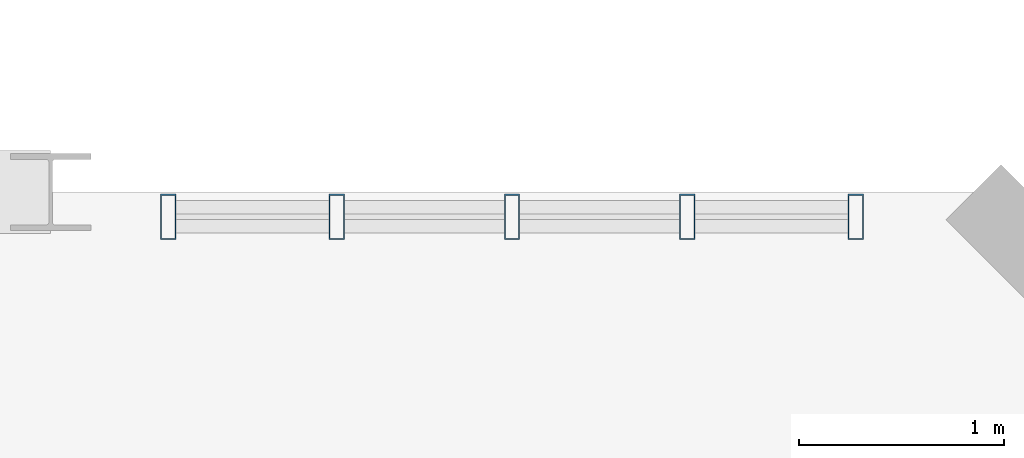
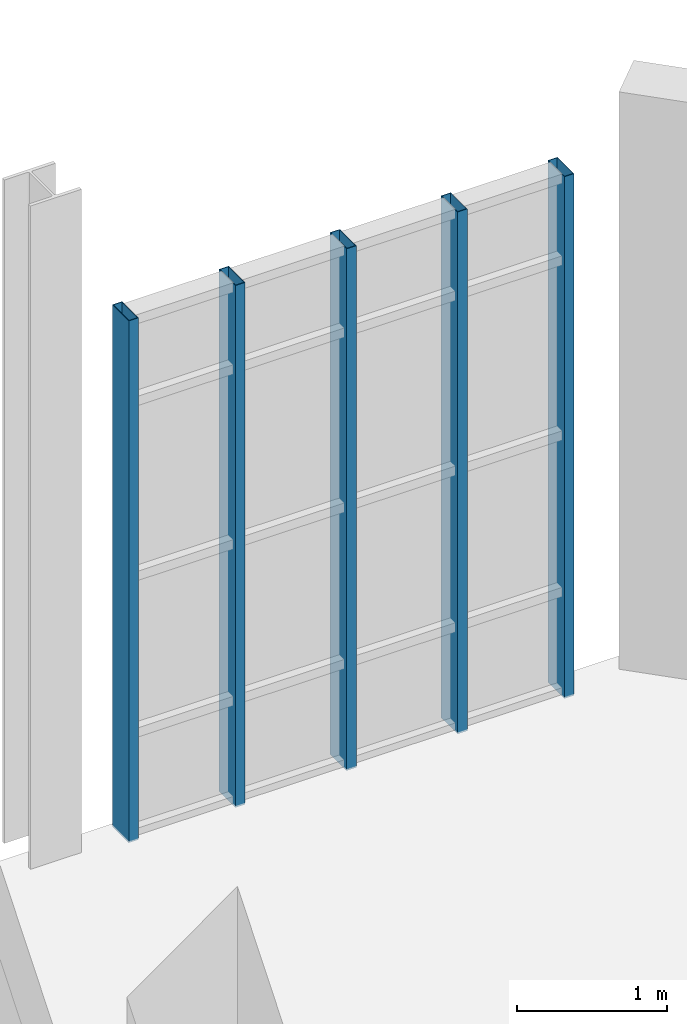
# One storey, part 90 of 189: 5 members, 1 element without a shape of its own.
"""IFC4 building model written with IfcOpenShell, lengths in metres."""

import ifcopenshell
import ifcopenshell.guid

model = None  # the IFC model being written
_history = None  # IfcOwnerHistory: only IFC2X3 demands one
_inside = {}  # id of a spatial element -> (the spatial element, [elements in it])
_under = {}  # id of a project, library or spatial element -> (it, [spatial elements below it])
_declared = {}  # id of a project -> (the project, [libraries it declares])
_typed = {}  # id of a type object -> (the type object, [elements of that type])
_made_of = {}  # id of a material, layer set ... -> (it, [elements and type objects made of it])


def new_model(schema):
    """Start an empty IFC model of exactly this schema.

    Asked for "IFC4X3", IfcOpenShell would pick the latest addendum, in which some entities
    have other attributes; the version numbers below select the first issue.
    IFC2X3 requires an IfcOwnerHistory on every rooted entity: one is made here for all.
    """
    global model, _history
    if schema == "IFC4X3":
        model = ifcopenshell.file(schema_version=(4, 3, 0, 0))
    else:
        model = ifcopenshell.file(schema=schema)
    _inside.clear()
    _under.clear()
    _declared.clear()
    _typed.clear()
    _made_of.clear()
    _history = None
    if model.schema == "IFC2X3":
        org = make("IfcOrganization", Name="unknown")
        user = make(
            "IfcPersonAndOrganization",
            ThePerson=make("IfcPerson", FamilyName="unknown"),
            TheOrganization=org,
        )
        app = make(
            "IfcApplication",
            ApplicationDeveloper=org,
            Version="unknown",
            ApplicationFullName="unknown",
            ApplicationIdentifier="unknown",
        )
        _history = make(
            "IfcOwnerHistory",
            OwningUser=user,
            OwningApplication=app,
            ChangeAction="ADDED",
            CreationDate=0,
        )
    return model


def make(cls, **values):
    """One entity of the class cls with the attributes given. An attribute that is None is left unset."""
    return model.create_entity(
        cls, **{name: value for name, value in values.items() if value is not None}
    )


def rooted(cls, **values):
    """An entity with a GlobalId (a new one), such as an element, a storey or a relation."""
    return make(cls, GlobalId=ifcopenshell.guid.new(), OwnerHistory=_history, **values)


def si_unit(unit_type, name, prefix=None):
    """IfcSIUnit, for example si_unit("LENGTHUNIT", "METRE", prefix="MILLI")."""
    return make("IfcSIUnit", UnitType=unit_type, Prefix=prefix, Name=name)


def assignment(units):
    """IfcUnitAssignment: the units of a project."""
    return None if units is None else make("IfcUnitAssignment", Units=units)


def point(xyz):
    """IfcCartesianPoint."""
    return None if xyz is None else make("IfcCartesianPoint", Coordinates=xyz)


def direction(xyz):
    """IfcDirection."""
    return None if xyz is None else make("IfcDirection", DirectionRatios=xyz)


def frame(location, z_axis=None, x_axis=None):
    """IfcAxis2Placement3D, a coordinate frame: its origin and axes. An axis left out is left unset."""
    return make(
        "IfcAxis2Placement3D",
        Location=point(location),
        Axis=direction(z_axis),
        RefDirection=direction(x_axis),
    )


def frame_2d(location, x_axis=None):
    """IfcAxis2Placement2D, a coordinate frame in the plane: its origin and x axis."""
    return make(
        "IfcAxis2Placement2D", Location=point(location), RefDirection=direction(x_axis)
    )


def origin():
    """The frame at (0, 0, 0) with its axes left unset."""
    return frame((0.0, 0.0, 0.0))


def origin_2d():
    """The frame at (0, 0) in the plane with its x axis left unset."""
    return frame_2d((0.0, 0.0))


def place(relative_to, where):
    """IfcLocalPlacement: puts the frame where relative to a parent placement (None: the world)."""
    return make(
        "IfcLocalPlacement", PlacementRelTo=relative_to, RelativePlacement=where
    )


def context(
    kind, dimensions, precision=None, world=None, true_north=None, identifier=None
):
    """IfcGeometricRepresentationContext, for example the 3D "Model" context."""
    return make(
        "IfcGeometricRepresentationContext",
        ContextIdentifier=identifier,
        ContextType=kind,
        CoordinateSpaceDimension=dimensions,
        Precision=precision,
        WorldCoordinateSystem=world,
        TrueNorth=true_north,
    )


def subcontext(parent, identifier, kind, view, scale=None):
    """IfcGeometricRepresentationSubContext, for example "Body" below "Model"."""
    return make(
        "IfcGeometricRepresentationSubContext",
        ContextIdentifier=identifier,
        ContextType=kind,
        ParentContext=parent,
        TargetScale=scale,
        TargetView=view,
    )


def project(units=None, contexts=None):
    """IfcProject with its units and contexts."""
    return rooted(
        "IfcProject",
        Name="project",
        RepresentationContexts=contexts,
        UnitsInContext=assignment(units),
    )


def spatial(cls, under=None, at=None, **own):
    """A site, building, storey or space (cls), placed at a placement, below another one or the project."""
    s = rooted(cls, ObjectPlacement=at, **own)
    if under is not None:
        _under.setdefault(under.id(), (under, []))[1].append(s)
    return s


def profile(cls, at=None, kind="AREA", **sizes):
    """A parametric profile (cls). Its sizes go by their IFC names, for example OverallWidth=200.0."""
    return make(cls, ProfileType=kind, Position=at, **sizes)


def hollow_rectangle(**sizes):
    """IfcRectangleHollowProfileDef."""
    return profile("IfcRectangleHollowProfileDef", **sizes)


def extrude(swept, where, along, depth):
    """IfcExtrudedAreaSolid: the profile swept, set in the frame where, extruded along a direction by depth."""
    return make(
        "IfcExtrudedAreaSolid",
        SweptArea=swept,
        Position=where,
        ExtrudedDirection=direction(along),
        Depth=depth,
    )


def shape(context_of_items, identifier, shape_type, items):
    """IfcShapeRepresentation: the items that make up one representation, for example the "Body"."""
    return make(
        "IfcShapeRepresentation",
        ContextOfItems=context_of_items,
        RepresentationIdentifier=identifier,
        RepresentationType=shape_type,
        Items=items,
    )


def material(Name=None, Category=None):
    """IfcMaterial."""
    return make("IfcMaterial", Name=Name, Category=Category)


def layer(
    of_material, thickness, ventilated=None, Name=None, Category=None, Priority=None
):
    """IfcMaterialLayer: one layer of a wall or slab, of a material (None: an air gap)."""
    return make(
        "IfcMaterialLayer",
        Material=of_material,
        LayerThickness=thickness,
        IsVentilated=ventilated,
        Name=Name,
        Category=Category,
        Priority=Priority,
    )


def layer_set(layers, Name=None):
    """IfcMaterialLayerSet."""
    return make("IfcMaterialLayerSet", MaterialLayers=layers, LayerSetName=Name)


def material_profile(
    of_material, cross_section, Name=None, Category=None, Priority=None
):
    """IfcMaterialProfile: a cross section and its material."""
    return make(
        "IfcMaterialProfile",
        Name=Name,
        Material=of_material,
        Profile=cross_section,
        Priority=Priority,
        Category=Category,
    )


def profile_set(profiles, Name=None, composite=None):
    """IfcMaterialProfileSet."""
    return make(
        "IfcMaterialProfileSet",
        Name=Name,
        MaterialProfiles=profiles,
        CompositeProfile=composite,
    )


def made_of(thing, what):
    """Note that an element or type object is made of a material, layer set ...; save() writes the relation."""
    if what is not None:
        _made_of.setdefault(what.id(), (what, []))[1].append(thing)
    return thing


def type_object(cls, material=None, **own):
    """A type object (cls), such as IfcWallType, which elements share."""
    return made_of(rooted(cls, **own), material)


def element(
    cls,
    number,
    at=None,
    inside=None,
    cuts=None,
    type_object=None,
    material=None,
    context=None,
    identifier="Body",
    shape_type=None,
    held_by="IfcProductDefinitionShape",
    body=None,
    shapes=None,
    **own,
):
    """One element of the class cls, such as IfcWall. Its Tag is "e" and its number.

    at: its placement. inside: the storey or other place that contains it. cuts: it is an
    opening in that element (IfcRelVoidsElement). A single representation is given by context,
    identifier, shape_type and body (its items); several are given by shapes. held_by: the class
    of the entity that holds the representations. save() writes the other relations.
    """
    e = rooted(cls, Tag="e%d" % number, ObjectPlacement=at, **own)
    if body is not None:
        shapes = [shape(context, identifier, shape_type, body)]
    if shapes is not None:
        e.Representation = make(held_by, Representations=shapes)
    if inside is not None:
        _inside.setdefault(inside.id(), (inside, []))[1].append(e)
    if cuts is not None:
        rooted(
            "IfcRelVoidsElement", RelatingBuildingElement=cuts, RelatedOpeningElement=e
        )
    if type_object is not None:
        _typed.setdefault(type_object.id(), (type_object, []))[1].append(e)
    return made_of(e, material)


def aggregate(whole, parts):
    """IfcRelAggregates: a whole, such as a stair, and the parts it consists of."""
    return rooted("IfcRelAggregates", RelatingObject=whole, RelatedObjects=parts)


def save(model, path):
    """Write the relations noted so far, then the file.

    IfcRelAggregates (storeys below a building ...), IfcRelContainedInSpatialStructure (elements
    in a storey), IfcRelDefinesByType, IfcRelAssociatesMaterial and IfcRelDeclares: one each for
    every whole, place, type object, material and project.
    """
    for whole, parts in _under.values():
        aggregate(whole, parts)
    for where, things in _inside.values():
        rooted(
            "IfcRelContainedInSpatialStructure",
            RelatedElements=things,
            RelatingStructure=where,
        )
    for kind, things in _typed.values():
        rooted("IfcRelDefinesByType", RelatedObjects=things, RelatingType=kind)
    for what, things in _made_of.values():
        rooted("IfcRelAssociatesMaterial", RelatedObjects=things, RelatingMaterial=what)
    for by, libraries in _declared.values():
        rooted("IfcRelDeclares", RelatingContext=by, RelatedDefinitions=libraries)
    model.write(path)


model = new_model("IFC4")

# Units and contexts
model_context = context("Model", 3, precision=1e-05, world=origin(), true_north=direction((0.0, 1.0)))
body_context = subcontext(model_context, "Body", "Model", "MODEL_VIEW")
ifc_project = project(units=[si_unit("LENGTHUNIT", "METRE"), si_unit("AREAUNIT", "SQUARE_METRE"), si_unit("VOLUMEUNIT", "CUBIC_METRE"), si_unit("PLANEANGLEUNIT", "RADIAN"), si_unit("MASSUNIT", "GRAM", prefix="KILO"), si_unit("THERMODYNAMICTEMPERATUREUNIT", "KELVIN"), si_unit("POWERUNIT", "WATT")], contexts=[model_context])

# Site, building, storey
site_placement = place(None, origin())
site = spatial("IfcSite", under=ifc_project, at=site_placement, CompositionType="ELEMENT")
building_placement = place(site_placement, origin())
building = spatial("IfcBuilding", under=site, at=building_placement, Name="Zelmaris Science Centre", CompositionType="ELEMENT")
storey_placement = place(building_placement, origin())
storey = spatial("IfcBuildingStorey", under=building, at=storey_placement, Name="L00", CompositionType="ELEMENT", Elevation=0.0)

# Curtain wall, members
ifc_material = material(Name="Anodised architectural aluminium 6063-T6", Category="aluminium")
ifc_layer = layer(ifc_material, 0.199951171875, Name="Anodised architectural aluminium 6063-T6")
ifc_layer_set = layer_set([ifc_layer], Name="Anodised architectural aluminium 6063-T6")
curtain_wall_type = type_object("IfcCurtainWallType", Name="Curtain Wall CW-02", PredefinedType="USERDEFINED", material=ifc_layer_set)
curtain_wall_placement = place(storey_placement, origin())
curtain_wall = element("IfcCurtainWall", 1, at=curtain_wall_placement, inside=storey, type_object=curtain_wall_type, Name="L00 Unitised curtain wall 22", ObjectType="GLAZED CURTAIN WALL", PredefinedType="USERDEFINED")
ifc_material_profile = material_profile(ifc_material, hollow_rectangle(XDim=0.074951171875, YDim=0.219970703125, WallThickness=0.0048828125, at=origin_2d()), Name="ALU-MUL-75X220")
ifc_profile_set = profile_set([ifc_material_profile], Name="Anodised architectural aluminium 6063-T6")
member_type = type_object("IfcMemberType", Name="ALU-MUL-75X220", PredefinedType="MULLION", material=ifc_profile_set)
member_1_placement = place(storey_placement, frame((36.573486328125, 87.8798828125, -0.014892578125), z_axis=(0.0, 0.0, 1.0), x_axis=(1.0, 0.0, 0.0)))
member_1 = element("IfcMember", 2, at=member_1_placement, type_object=member_type, Name="CW-02 mullion 1", PredefinedType="MULLION", context=body_context, shape_type="SweptSolid", body=[
    extrude(hollow_rectangle(XDim=0.074951171875, YDim=0.219970703125, WallThickness=0.0048828125, at=origin_2d()), origin(), (0.0, 0.0, 1.0), 4.248779296875),
])
member_2_placement = place(storey_placement, frame((37.39501953125, 87.8798828125, -0.014892578125), z_axis=(0.0, 0.0, 1.0), x_axis=(1.0, 0.0, 0.0)))
member_2 = element("IfcMember", 3, at=member_2_placement, type_object=member_type, Name="CW-02 mullion 2", PredefinedType="MULLION", context=body_context, shape_type="SweptSolid", body=[
    extrude(hollow_rectangle(XDim=0.074951171875, YDim=0.219970703125, WallThickness=0.0048828125, at=origin_2d()), origin(), (0.0, 0.0, 1.0), 4.248779296875),
])
member_3_placement = place(storey_placement, frame((38.25, 87.8798828125, -0.014892578125), z_axis=(0.0, 0.0, 1.0), x_axis=(1.0, 0.0, 0.0)))
member_3 = element("IfcMember", 4, at=member_3_placement, type_object=member_type, Name="CW-02 mullion 3", PredefinedType="MULLION", context=body_context, shape_type="SweptSolid", body=[
    extrude(hollow_rectangle(XDim=0.074951171875, YDim=0.219970703125, WallThickness=0.0048828125, at=origin_2d()), origin(), (0.0, 0.0, 1.0), 4.248779296875),
])
member_4_placement = place(storey_placement, frame((39.10498046875, 87.8798828125, -0.014892578125), z_axis=(0.0, 0.0, 1.0), x_axis=(1.0, 0.0, 0.0)))
member_4 = element("IfcMember", 5, at=member_4_placement, type_object=member_type, Name="CW-02 mullion 4", PredefinedType="MULLION", context=body_context, shape_type="SweptSolid", body=[
    extrude(hollow_rectangle(XDim=0.074951171875, YDim=0.219970703125, WallThickness=0.0048828125, at=origin_2d()), origin(), (0.0, 0.0, 1.0), 4.248779296875),
])
member_5_placement = place(storey_placement, frame((39.926513671875, 87.8798828125, -0.014892578125), z_axis=(0.0, 0.0, 1.0), x_axis=(1.0, 0.0, 0.0)))
member_5 = element("IfcMember", 6, at=member_5_placement, type_object=member_type, Name="CW-02 mullion 5", PredefinedType="MULLION", context=body_context, shape_type="SweptSolid", body=[
    extrude(hollow_rectangle(XDim=0.074951171875, YDim=0.219970703125, WallThickness=0.0048828125, at=origin_2d()), origin(), (0.0, 0.0, 1.0), 4.248779296875),
])
aggregate(curtain_wall, [member_1, member_2, member_3, member_4, member_5])

save(model, "model.ifc")
